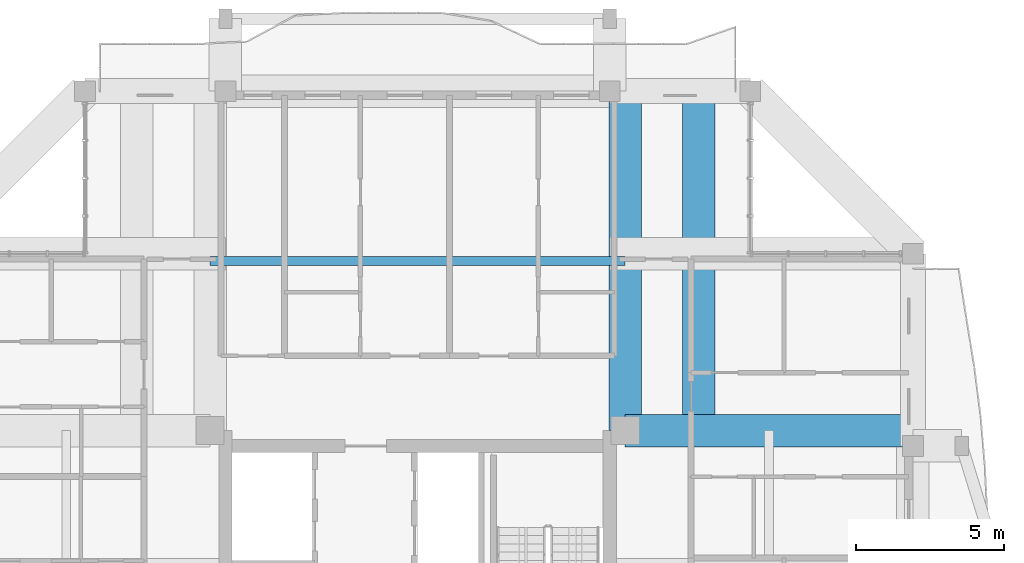
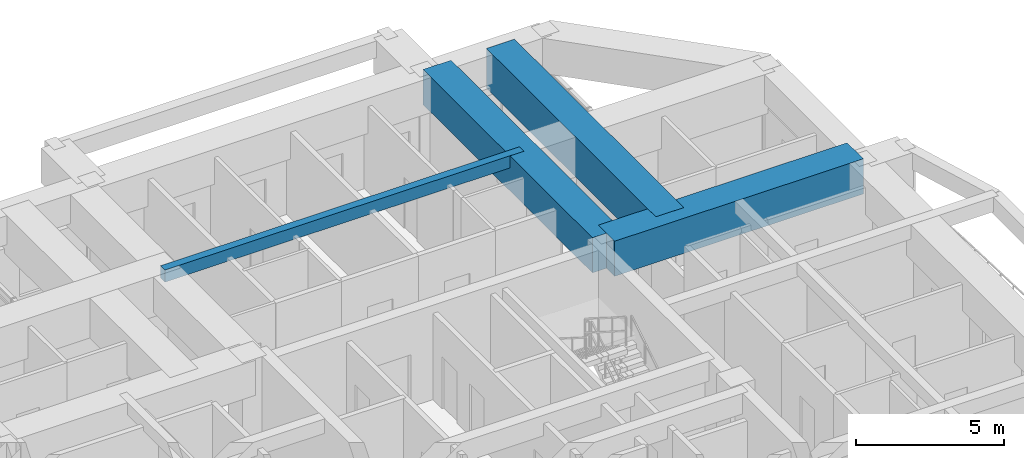
# One storey, part 9 of 27: 4 beams.
"""IFC4 building model written with IfcOpenShell, lengths in metres."""

from ifc_helpers import new_model, si_unit, direction, frame, origin, origin_2d, place, context, subcontext, project, spatial, rectangle, extrude, source, transform, mapped, material, material_profile, profile_set, type_object, element, save


model = new_model("IFC4")

# Units and contexts
model_context = context("Model", 3, precision=1e-05, world=origin(), true_north=direction((0.0, 1.0)))
body_context = subcontext(model_context, "Body", "Model", "MODEL_VIEW")
ifc_project = project(units=[si_unit("LENGTHUNIT", "METRE"), si_unit("AREAUNIT", "SQUARE_METRE"), si_unit("VOLUMEUNIT", "CUBIC_METRE"), si_unit("PLANEANGLEUNIT", "RADIAN"), si_unit("MASSUNIT", "GRAM", prefix="KILO")], contexts=[model_context])

# Site, building, storey
site_placement = place(None, origin())
site = spatial("IfcSite", under=ifc_project, at=site_placement, CompositionType="ELEMENT")
building_placement = place(site_placement, origin())
building = spatial("IfcBuilding", under=site, at=building_placement, Name="Saelheon Loggia Tower", CompositionType="ELEMENT")
storey_placement = place(building_placement, frame((0.0, 0.0, 236.10009765625)))
storey = spatial("IfcBuildingStorey", under=building, at=storey_placement, Name="L73", CompositionType="ELEMENT", Elevation=236.10009765625)

# Beams
ifc_material_1 = material(Name="Concrete C40/50", Category="concrete")
ifc_material_profile_1 = material_profile(ifc_material_1, rectangle(XDim=0.300048828125, YDim=0.5, at=origin_2d()), Name="RC-300x500")
ifc_profile_set_1 = profile_set([ifc_material_profile_1], Name="Concrete C40/50")
beam_type_1 = type_object("IfcBeamType", Name="Beam_Joist_RC300x500", PredefinedType="JOIST", material=ifc_profile_set_1)
shared_shape_1 = source(origin(), body_context, "Body", "SweptSolid", [
    extrude(rectangle(XDim=0.300048828125, YDim=0.5, at=origin_2d()), origin(), (0.0, 0.0, 1.0), 14.0400390625),
])
beam_1_placement = place(storey_placement, frame((30.97998046875, 42.260009765625, 3.64990234375), z_axis=(1.0, 0.0, 0.0), x_axis=(0.0, 1.0, 0.0)))
element("IfcBeam", 1, at=beam_1_placement, inside=storey, type_object=beam_type_1, Name="L73 North Floor Joist", PredefinedType="JOIST", context=body_context, shape_type="MappedRepresentation", body=[
    mapped(shared_shape_1, transform((0.0, 0.0, 0.0), scale=1.0)),
])
ifc_material_2 = material(Name="Concrete C50/60", Category="concrete")
ifc_material_profile_2 = material_profile(ifc_material_2, rectangle(XDim=1.10009765625, YDim=1.449951171875, at=origin_2d()), Name="RC-1100x1450")
ifc_profile_set_2 = profile_set([ifc_material_profile_2], Name="Concrete C50/60")
beam_type_2 = type_object("IfcBeamType", Name="Beam_Transfer_RC1100x1450", PredefinedType="BEAM", material=ifc_profile_set_2)
shared_shape_2 = source(origin(), body_context, "Body", "SweptSolid", [
    extrude(rectangle(XDim=1.10009765625, YDim=1.449951171875, at=origin_2d()), origin(), (0.0, 0.0, 1.0), 11.47998046875),
])
beam_2_placement = place(storey_placement, frame((45.02001953125, 36.52001953125, 3.1748046875), z_axis=(0.0, 1.0, 0.0), x_axis=(-1.0, 0.0, 0.0)))
element("IfcBeam", 2, at=beam_2_placement, inside=storey, type_object=beam_type_2, Name="L73 Radial Floor Girder RAD-NE-N", PredefinedType="BEAM", context=body_context, shape_type="MappedRepresentation", body=[
    mapped(shared_shape_2, transform((0.0, 0.0, 0.0), scale=1.0)),
])
ifc_material_profile_3 = material_profile(ifc_material_2, rectangle(XDim=1.10009765625, YDim=1.64990234375, at=origin_2d()), Name="RC-1100x1650")
ifc_profile_set_3 = profile_set([ifc_material_profile_3], Name="Concrete C50/60")
beam_type_3 = type_object("IfcBeamType", Name="Beam_MegaTransfer_RC1100x1650", PredefinedType="BEAM", material=ifc_profile_set_3)
shared_shape_3 = source(origin(), body_context, "Body", "SweptSolid", [
    extrude(rectangle(XDim=1.10009765625, YDim=1.64990234375, at=origin_2d()), origin(), (0.0, 0.0, 1.0), 11.47998046875),
])
beam_3_placement = place(storey_placement, frame((47.5, 36.52001953125, 3.074951171875), z_axis=(0.0, 1.0, 0.0), x_axis=(-1.0, 0.0, 0.0)))
element("IfcBeam", 3, at=beam_3_placement, inside=storey, type_object=beam_type_3, Name="TG-L73-NL-NE", PredefinedType="BEAM", context=body_context, shape_type="MappedRepresentation", body=[
    mapped(shared_shape_3, transform((0.0, 0.0, 0.0), scale=1.0)),
])
shared_shape_4 = source(origin(), body_context, "Body", "SweptSolid", [
    extrude(rectangle(XDim=1.10009765625, YDim=1.449951171875, at=origin_2d()), origin(), (0.0, 0.0, 1.0), 9.72998046875),
])
beam_4_placement = place(storey_placement, frame((45.02001953125, 36.52001953125, 3.1748046875), z_axis=(1.0, 0.0, 0.0), x_axis=(0.0, 1.0, 0.0)))
element("IfcBeam", 4, at=beam_4_placement, inside=storey, type_object=beam_type_2, Name="L73 Radial Floor Girder RAD-NE-E", PredefinedType="BEAM", context=body_context, shape_type="MappedRepresentation", body=[
    mapped(shared_shape_4, transform((0.0, 0.0, 0.0), scale=1.0)),
])

save(model, "model.ifc")
